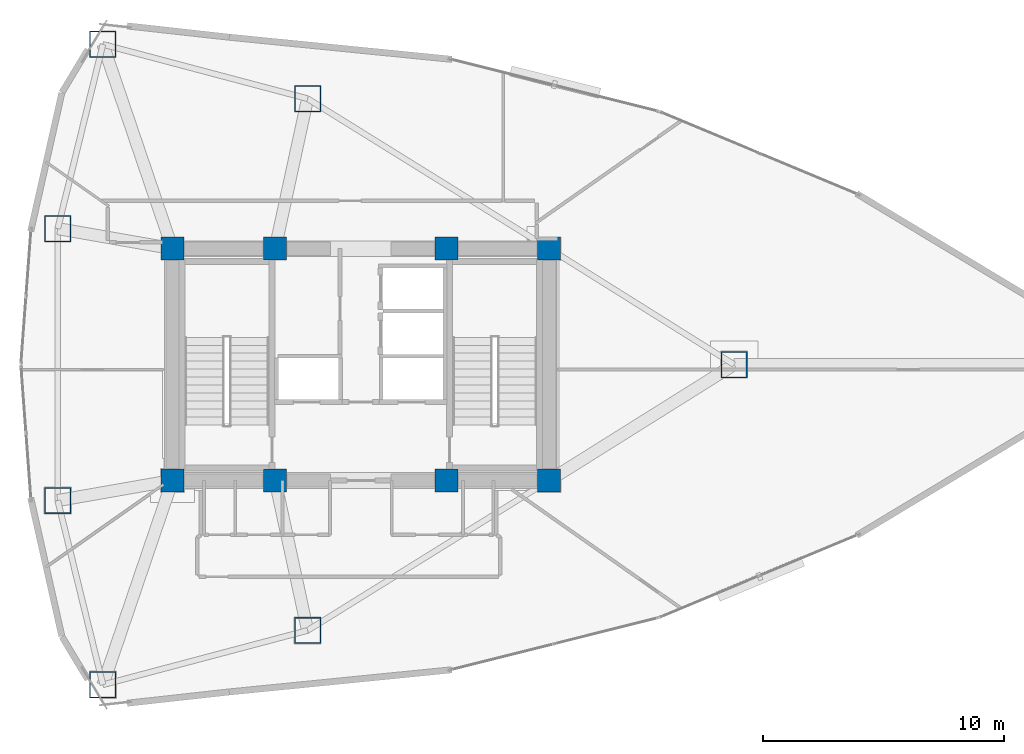
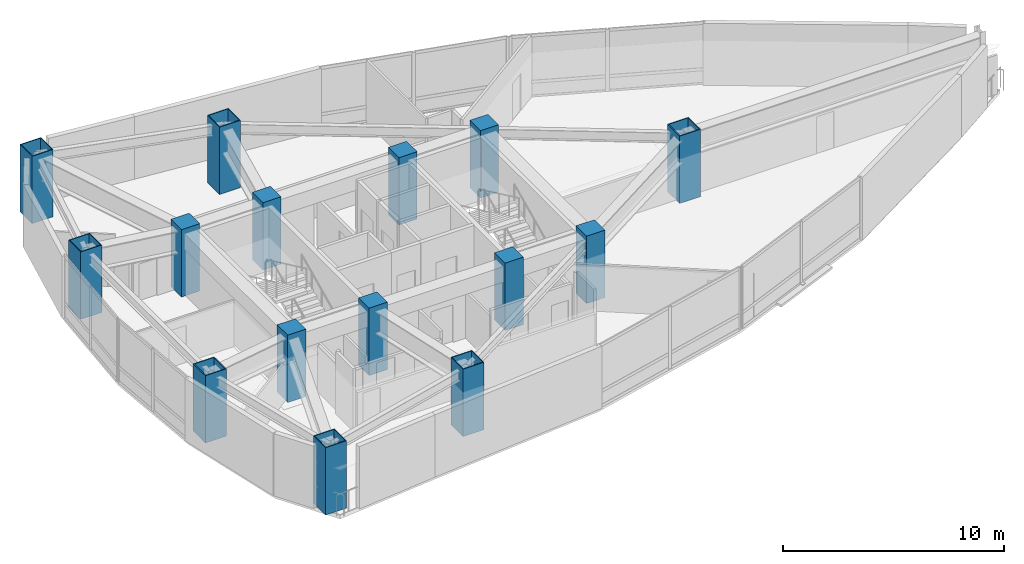
# One storey, part 1 of 18: 15 columns.
"""IFC4 building model written with IfcOpenShell, lengths in metres."""

from ifc_helpers import new_model, si_unit, direction, frame, origin, origin_2d, place, context, subcontext, project, spatial, rectangle, hollow_rectangle, extrude, material, material_profile, profile_set, type_object, element, save


model = new_model("IFC4")

# Units and contexts
model_context = context("Model", 3, precision=1e-05, world=origin(), true_north=direction((0.0, 1.0)))
body_context = subcontext(model_context, "Body", "Model", "MODEL_VIEW")
ifc_project = project(units=[si_unit("LENGTHUNIT", "METRE"), si_unit("AREAUNIT", "SQUARE_METRE"), si_unit("VOLUMEUNIT", "CUBIC_METRE"), si_unit("PLANEANGLEUNIT", "RADIAN"), si_unit("MASSUNIT", "GRAM", prefix="KILO")], contexts=[model_context])

# Site, building, storey
site_placement = place(None, origin())
site = spatial("IfcSite", under=ifc_project, at=site_placement, CompositionType="ELEMENT")
building_placement = place(site_placement, origin())
building = spatial("IfcBuilding", under=site, at=building_placement, Name="Menara Vayukalpa", CompositionType="ELEMENT")
storey_placement = place(building_placement, frame((0.0, 0.0, 169.199951171875)))
storey = spatial("IfcBuildingStorey", under=building, at=storey_placement, Name="L42", CompositionType="ELEMENT", Elevation=169.199951171875)

# Columns
ifc_material_1 = material(Name="Concrete C60/75", Category="concrete")
ifc_material_profile_1 = material_profile(ifc_material_1, rectangle(XDim=0.949951171875, YDim=0.949951171875, at=origin_2d()), Name="RC 950x950")
ifc_profile_set_1 = profile_set([ifc_material_profile_1], Name="Concrete C60/75")
column_type_1 = type_object("IfcColumnType", Name="COL-CC2", PredefinedType="COLUMN", material=ifc_profile_set_1)
for number, where, z_axis, x_axis, name in (
    (1, (17.800048828125, 17.199951171875, 0.0), (0.0, 0.0, 1.0), (1.0, 0.0, 0.0), "L42 Core Pilaster Column CC1"),
    (2, (22.050048828125, 17.199951171875, 0.0), (0.0, 0.0, 1.0), (1.0, 0.0, 0.0), "L42 Core Pilaster Column CC2"),
    (3, (29.14990234375, 17.199951171875, 0.0), (0.0, 0.0, 1.0), (1.0, 0.0, 0.0), "L42 Core Pilaster Column CC3"),
    (4, (33.39990234375, 17.199951171875, 0.0), (0.0, 0.0, 1.0), (1.0, 0.0, 0.0), "L42 Core Pilaster Column CC4"),
    (5, (17.800048828125, 26.800048828125, 0.0), (0.0, 0.0, 1.0), (1.0, 0.0, 0.0), "L42 Core Pilaster Column CC5"),
    (6, (22.050048828125, 26.800048828125, 0.0), (0.0, 0.0, 1.0), (1.0, 0.0, 0.0), "L42 Core Pilaster Column CC6"),
    (7, (29.14990234375, 26.800048828125, 0.0), (0.0, 0.0, 1.0), (1.0, 0.0, 0.0), "L42 Core Pilaster Column CC7"),
    (8, (33.39990234375, 26.800048828125, 0.0), (0.0, 0.0, 1.0), (1.0, 0.0, 0.0), "L42 Core Pilaster Column CC8"),
):
    element("IfcColumn", number, at=place(storey_placement, frame(where, z_axis=z_axis, x_axis=x_axis)), inside=storey, type_object=column_type_1, Name=name, PredefinedType="COLUMN", context=body_context, shape_type="SweptSolid", body=[
        extrude(rectangle(XDim=0.949951171875, YDim=0.949951171875, at=origin_2d()), origin(), (0.0, 0.0, 1.0), 3.719970703125),
    ])
ifc_material_2 = material(Name="Steel S460", Category="steel")
ifc_material_profile_2 = material_profile(ifc_material_2, hollow_rectangle(XDim=1.10009765625, YDim=1.10009765625, WallThickness=0.044921875, at=origin_2d()), Name="BOX 1100x1100x45")
ifc_profile_set_2 = profile_set([ifc_material_profile_2], Name="Steel S460")
column_type_2 = type_object("IfcColumnType", Name="COL-MC3", PredefinedType="COLUMN", material=ifc_profile_set_2)
for number, where, z_axis, x_axis, name in (
    (9, (41.05908203125, 22.0, 0.0), (0.0, 0.0, 1.0), (1.0, 0.0, 0.0), "L42 Perimeter Mega Column P01"),
    (10, (23.39697265625, 33.011962890625, 0.0), (0.0, 0.0, 1.0), (1.0, 0.0, 0.0), "L42 Perimeter Mega Column P03"),
    (11, (14.92041015625, 35.260498046875, 0.0), (0.0, 0.0, 1.0), (1.0, 0.0, 0.0), "L42 Perimeter Mega Column P04"),
    (12, (13.049072265625, 27.6318359375, 0.0), (0.0, 0.0, 1.0), (1.0, 0.0, 0.0), "L42 Perimeter Mega Column P05"),
    (13, (13.049072265625, 16.3681640625, 0.0), (0.0, 0.0, 1.0), (1.0, 0.0, 0.0), "L42 Perimeter Mega Column P06"),
    (14, (14.92041015625, 8.739501953125, 0.0), (0.0, 0.0, 1.0), (1.0, 0.0, 0.0), "L42 Perimeter Mega Column P07"),
    (15, (23.39697265625, 10.988037109375, 0.0), (0.0, 0.0, 1.0), (1.0, 0.0, 0.0), "L42 Perimeter Mega Column P08"),
):
    element("IfcColumn", number, at=place(storey_placement, frame(where, z_axis=z_axis, x_axis=x_axis)), inside=storey, type_object=column_type_2, Name=name, PredefinedType="COLUMN", context=body_context, shape_type="SweptSolid", body=[
        extrude(hollow_rectangle(XDim=1.10009765625, YDim=1.10009765625, WallThickness=0.044921875, at=origin_2d()), origin(), (0.0, 0.0, 1.0), 3.719970703125),
    ])

save(model, "model.ifc")
